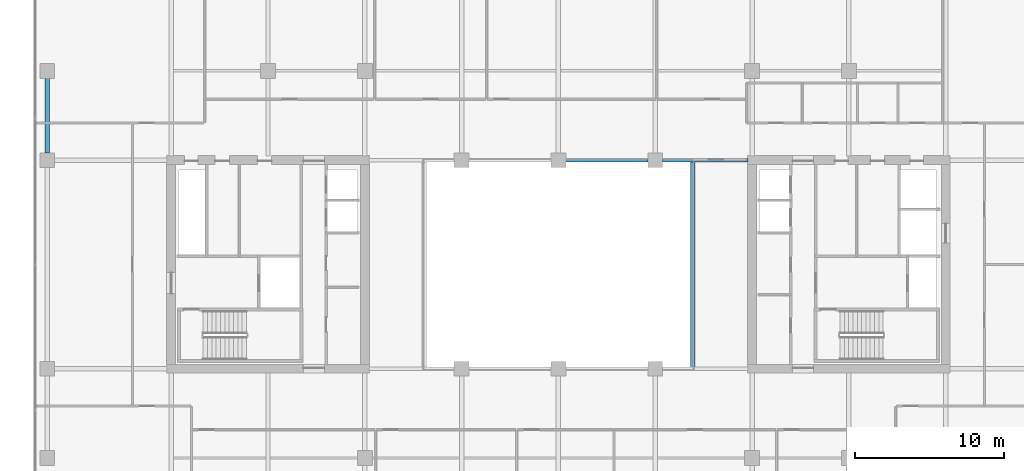
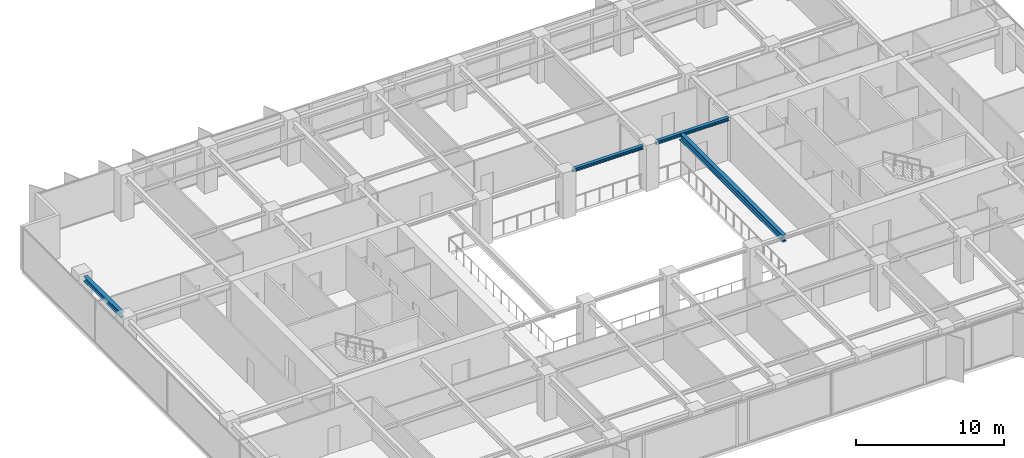
# One storey, part 7 of 22: 4 beams.
"""IFC4 building model written with IfcOpenShell, lengths in metres."""

from ifc_helpers import new_model, si_unit, direction, frame, origin, origin_2d, place, context, subcontext, project, spatial, i_section, extrude, material, material_profile, profile_set, type_object, element, save


model = new_model("IFC4")

# Units and contexts
model_context = context("Model", 3, precision=1e-05, world=origin(), true_north=direction((0.0, 1.0)))
body_context = subcontext(model_context, "Body", "Model", "MODEL_VIEW")
ifc_project = project(units=[si_unit("LENGTHUNIT", "METRE"), si_unit("AREAUNIT", "SQUARE_METRE"), si_unit("VOLUMEUNIT", "CUBIC_METRE"), si_unit("PLANEANGLEUNIT", "RADIAN"), si_unit("MASSUNIT", "GRAM", prefix="KILO")], contexts=[model_context])

# Site, building, storey
site_placement = place(None, origin())
site = spatial("IfcSite", under=ifc_project, at=site_placement, CompositionType="ELEMENT")
building_placement = place(site_placement, origin())
building = spatial("IfcBuilding", under=site, at=building_placement, Name="Putna Gate Headquarters", CompositionType="ELEMENT")
storey_placement = place(building_placement, frame((0.0, 0.0, 163.199951171875)))
storey = spatial("IfcBuildingStorey", under=building, at=storey_placement, Name="L40", CompositionType="ELEMENT", Elevation=163.199951171875)

# Beams
ifc_material = material(Name="Steel S355J2", Category="steel")
ifc_material_profile_1 = material_profile(ifc_material, i_section(OverallWidth=0.260009765625, OverallDepth=0.260009765625, WebThickness=0.010009765625, FlangeThickness=0.017578125, at=origin_2d()), Name="Steel S355J2")
ifc_profile_set_1 = profile_set([ifc_material_profile_1], Name="Steel S355J2")
beam_type_1 = type_object("IfcBeamType", Name="BM-ATRIUM-HEB260", PredefinedType="BEAM", material=ifc_profile_set_1)
beam_1_placement = place(storey_placement, frame((39.488037109375, 33.0, 3.442138671875), z_axis=(1.0, 0.0, 0.0), x_axis=(0.0, 1.0, 0.0)))
element("IfcBeam", 1, at=beam_1_placement, inside=storey, type_object=beam_type_1, Name="L40 Atrium Edge Beam AN3", PredefinedType="BEAM", context=body_context, shape_type="SweptSolid", body=[
    extrude(i_section(OverallWidth=0.260009765625, OverallDepth=0.260009765625, WebThickness=0.010009765625, FlangeThickness=0.017578125, at=origin_2d()), origin(), (0.0, 0.0, 1.0), 5.52392578125),
])
beam_2_placement = place(storey_placement, frame((45.988037109375, 33.0, 3.442138671875), z_axis=(1.0, 0.0, 0.0), x_axis=(0.0, 1.0, 0.0)))
element("IfcBeam", 2, at=beam_2_placement, inside=storey, type_object=beam_type_1, Name="L40 Atrium Edge Beam AN4", PredefinedType="BEAM", context=body_context, shape_type="SweptSolid", body=[
    extrude(i_section(OverallWidth=0.260009765625, OverallDepth=0.260009765625, WebThickness=0.010009765625, FlangeThickness=0.017578125, at=origin_2d()), origin(), (0.0, 0.0, 1.0), 5.72705078125),
])
ifc_material_profile_2 = material_profile(ifc_material, i_section(OverallWidth=0.300048828125, OverallDepth=0.550048828125, WebThickness=0.014892578125, FlangeThickness=0.029052734375, at=origin_2d()), Name="Steel S355J2")
ifc_profile_set_2 = profile_set([ifc_material_profile_2], Name="Steel S355J2")
beam_type_2 = type_object("IfcBeamType", Name="BM-GIRD-Z3-HEB550", PredefinedType="USERDEFINED", material=ifc_profile_set_2)
beam_3_placement = place(storey_placement, frame((48.0, 19.010009765625, 3.297119140625), z_axis=(0.0, 1.0, 0.0), x_axis=(-1.0, 0.0, 0.0)))
element("IfcBeam", 3, at=beam_3_placement, inside=storey, type_object=beam_type_2, Name="L40 Atrium Trim Girder AE", ObjectType="GIRDER", PredefinedType="USERDEFINED", context=body_context, shape_type="SweptSolid", body=[
    extrude(i_section(OverallWidth=0.300048828125, OverallDepth=0.550048828125, WebThickness=0.014892578125, FlangeThickness=0.029052734375, at=origin_2d()), origin(), (0.0, 0.0, 1.0), 13.97998046875),
])
ifc_material_profile_3 = material_profile(ifc_material, i_section(OverallWidth=0.300048828125, OverallDepth=0.39990234375, WebThickness=0.013427734375, FlangeThickness=0.02392578125, at=origin_2d()), Name="Steel S355J2")
ifc_profile_set_3 = profile_set([ifc_material_profile_3], Name="Steel S355J2")
beam_type_3 = type_object("IfcBeamType", Name="BM-SPAN-Z3-HEB400", PredefinedType="SPANDREL", material=ifc_profile_set_3)
beam_4_placement = place(storey_placement, frame((4.679931640625, 33.488037109375, 3.3720703125), z_axis=(0.0, 1.0, 0.0), x_axis=(-1.0, 0.0, 0.0)))
element("IfcBeam", 4, at=beam_4_placement, inside=storey, type_object=beam_type_3, Name="L40 W End Spandrel 3", PredefinedType="SPANDREL", context=body_context, shape_type="SweptSolid", body=[
    extrude(i_section(OverallWidth=0.300048828125, OverallDepth=0.39990234375, WebThickness=0.013427734375, FlangeThickness=0.02392578125, at=origin_2d()), origin(), (0.0, 0.0, 1.0), 5.02392578125),
])

save(model, "model.ifc")
